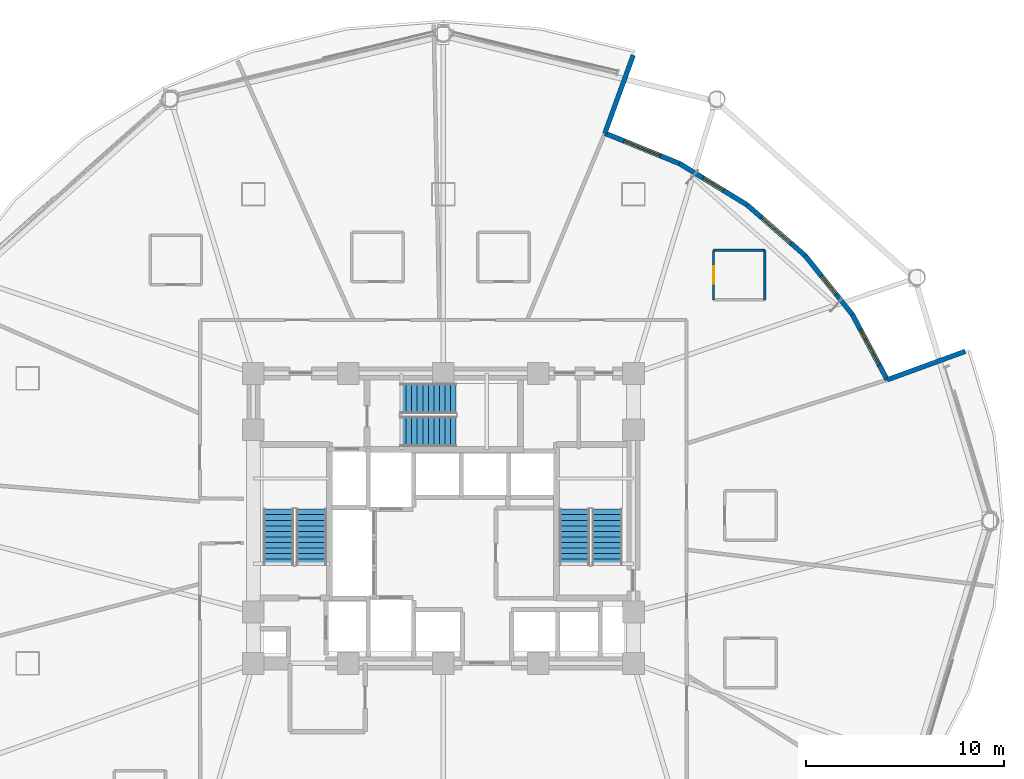
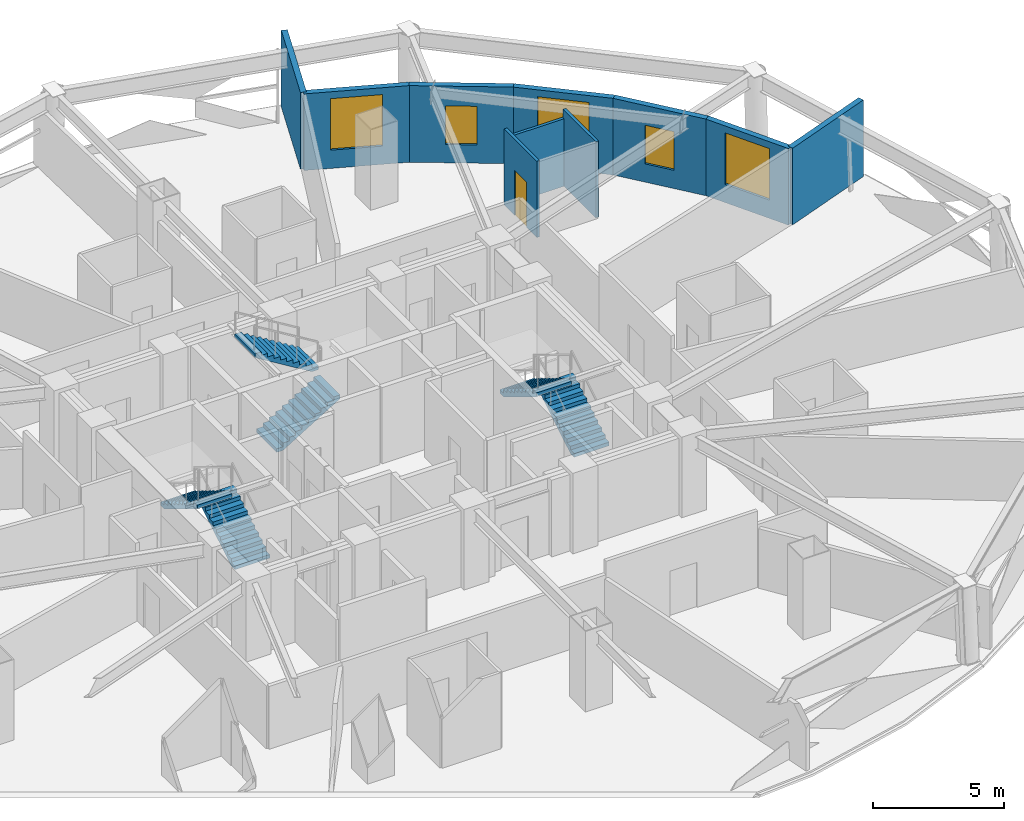
# One storey, part 11 of 16: 10 walls, 6 stair flights, 5 windows, 1 door, 6 openings, 3 elements without a shape of their own.
"""IFC4 building model written with IfcOpenShell, lengths in metres."""

from ifc_helpers import new_model, si_unit, direction, frame, frame_2d, origin, place, context, subcontext, project, spatial, polyline, rectangle, outline, extrude, material, layer, layer_set, type_object, element, fill, aggregate, save


model = new_model("IFC4")

# Units and contexts
model_context = context("Model", 3, precision=1e-05, world=origin(), true_north=direction((0.0, 1.0)))
body_context = subcontext(model_context, "Body", "Model", "MODEL_VIEW")
ifc_project = project(units=[si_unit("LENGTHUNIT", "METRE"), si_unit("AREAUNIT", "SQUARE_METRE"), si_unit("VOLUMEUNIT", "CUBIC_METRE"), si_unit("PLANEANGLEUNIT", "RADIAN"), si_unit("MASSUNIT", "GRAM", prefix="KILO")], contexts=[model_context])

# Site, building, storey
site_placement = place(None, origin())
site = spatial("IfcSite", under=ifc_project, at=site_placement, CompositionType="ELEMENT")
building_placement = place(site_placement, origin())
building = spatial("IfcBuilding", under=site, at=building_placement, Name="Vantalir Tower", CompositionType="ELEMENT")
storey_placement = place(building_placement, frame((0.0, 0.0, 75.75)))
storey = spatial("IfcBuildingStorey", under=building, at=storey_placement, Name="L18", CompositionType="ELEMENT", Elevation=75.75)

# Wall
ifc_material_1 = material(Name="Moisture-resistant en-suite partition", Category="gypsum")
ifc_layer_1 = layer(ifc_material_1, 0.125)
ifc_layer_set_1 = layer_set([ifc_layer_1], Name="Moisture-resistant en-suite partition")
wall_type_1 = type_object("IfcWallType", Name="WL-BATH-125", PredefinedType="PARTITIONING", material=ifc_layer_set_1)
wall_1_placement = place(storey_placement, frame((45.14892578125, 38.6669921875, 0.0), z_axis=(0.0, 0.0, 1.0), x_axis=(1.0, 0.0, 0.0)))
element("IfcWall", 1, at=wall_1_placement, inside=storey, type_object=wall_type_1, Name="L18 En-suite 01 North Wall", PredefinedType="PARTITIONING", context=body_context, shape_type="SweptSolid", body=[
    extrude(rectangle(XDim=2.60009765625, YDim=0.125, at=frame_2d((1.300048828125, 0.0))), origin(), (0.0, 0.0, 1.0), 3.14501953125),
])

# Wall, opening, door
wall_2_placement = place(storey_placement, frame((45.14892578125, 36.1669921875, 0.0), z_axis=(0.0, 0.0, 1.0), x_axis=(0.0, 1.0, 0.0)))
wall_2 = element("IfcWall", 2, at=wall_2_placement, inside=storey, type_object=wall_type_1, Name="L18 En-suite 01 West Wall", PredefinedType="PARTITIONING", context=body_context, shape_type="SweptSolid", body=[
    extrude(rectangle(XDim=2.5, YDim=0.125, at=frame_2d((1.25, 0.0))), origin(), (0.0, 0.0, 1.0), 3.550048828125),
])
opening_1_placement = place(wall_2_placement, frame((0.800048828125, 0.0, 0.0)))
opening_1 = element("IfcOpeningElement", 3, at=opening_1_placement, cuts=wall_2, Name="Opening D-WC", PredefinedType="OPENING", context=body_context, shape_type="SweptSolid", body=[
    extrude(rectangle(XDim=0.89990234375, YDim=2.10009765625, at=frame_2d((0.449951171875, 1.050048828125))), frame((0.0, 0.072509765625, 0.0), z_axis=(0.0, -1.0, 0.0), x_axis=(1.0, 0.0, 0.0)), (0.0, 0.0, 1.0), 0.14501953125),
])
ifc_material_2 = material(Name="Moisture-resistant hardwood door", Category="wood")
door_type = type_object("IfcDoorType", Name="DR-ENSUITE-900", OperationType="NOTDEFINED", PredefinedType="DOOR", material=ifc_material_2)
door_placement = place(opening_1_placement, frame((0.89990234375, 0.0, 0.0), z_axis=(0.0, 0.0, 1.0), x_axis=(-1.0, 0.0, 0.0)))
door = element("IfcDoor", 4, at=door_placement, inside=storey, type_object=door_type, Name="L18 En-suite 01 Door", OperationType="SINGLE_SWING_RIGHT", OverallHeight=2.10009765625, OverallWidth=0.89990234375, PredefinedType="DOOR", context=body_context, shape_type="SweptSolid", body=[
    extrude(rectangle(XDim=0.89990234375, YDim=2.10009765625, at=frame_2d((0.449951171875, 1.050048828125))), frame((0.0, 0.02490234375, 0.0), z_axis=(0.0, -1.0, 0.0), x_axis=(1.0, 0.0, 0.0)), (0.0, 0.0, 1.0), 0.050048828125),
])
fill(opening_1, door)

# Walls
wall_3_placement = place(storey_placement, frame((47.7490234375, 36.1669921875, 0.0), z_axis=(0.0, 0.0, 1.0), x_axis=(0.0, 1.0, 0.0)))
element("IfcWall", 5, at=wall_3_placement, inside=storey, type_object=wall_type_1, Name="L18 En-suite 01 East Wall", PredefinedType="PARTITIONING", context=body_context, shape_type="SweptSolid", body=[
    extrude(rectangle(XDim=2.5, YDim=0.125, at=frame_2d((1.25, 0.0))), origin(), (0.0, 0.0, 1.0), 3.550048828125),
])
ifc_material_3 = material(Name="Precast concrete C40/50 insulated sky-garden wall", Category="concrete")
ifc_layer_2 = layer(ifc_material_3, 0.239990234375)
ifc_layer_set_2 = layer_set([ifc_layer_2], Name="Precast concrete C40/50 insulated sky-garden wall")
wall_type_2 = type_object("IfcWallType", Name="WL-EXT-SG-240", PredefinedType="SOLIDWALL", material=ifc_layer_set_2)
wall_4_placement = place(storey_placement, frame((57.867919921875, 33.56396484375, 0.0), z_axis=(0.0, 0.0, 1.0), x_axis=(-0.939660987195, -0.342107043399, 0.0)))
element("IfcWall", 6, at=wall_4_placement, inside=storey, type_object=wall_type_2, Name="L18 SG1 Sky-Garden Return Wall A", PredefinedType="SOLIDWALL", context=body_context, shape_type="SweptSolid", body=[
    extrude(rectangle(XDim=4.200439453125, YDim=0.239990234375, at=frame_2d((2.10009765625, 0.0))), origin(), (0.0, 0.0, 1.0), 3.570068359375),
])
wall_5_placement = place(storey_placement, frame((39.660888671875, 44.58203125, 0.0), z_axis=(0.0, 0.0, 1.0), x_axis=(0.341901740091, 0.939735707592, 0.0)))
element("IfcWall", 7, at=wall_5_placement, inside=storey, type_object=wall_type_2, Name="L18 SG1 Sky-Garden Return Wall B", PredefinedType="SOLIDWALL", context=body_context, shape_type="SweptSolid", body=[
    extrude(rectangle(XDim=4.2001953125, YDim=0.239990234375, at=frame_2d((2.10009765625, 0.0))), origin(), (0.0, 0.0, 1.0), 3.570068359375),
])

# Wall, opening, window
wall_6_placement = place(storey_placement, frame((53.9208984375, 32.126953125, 0.0), z_axis=(0.0, 0.0, 1.0), x_axis=(-0.471022801321, 0.88212103514, 0.0)))
wall_6 = element("IfcWall", 8, at=wall_6_placement, inside=storey, type_object=wall_type_2, Name="L18 SG1 Sky-Garden Lounge Wall 1", PredefinedType="SOLIDWALL", context=body_context, shape_type="SweptSolid", body=[
    extrude(rectangle(XDim=3.73193359375, YDim=0.239990234375, at=frame_2d((1.865966796875, 0.0))), origin(), (0.0, 0.0, 1.0), 3.570068359375),
])
opening_2_placement = place(wall_6_placement, frame((0.865966796875, 0.0, 0.85009765625)))
opening_2 = element("IfcOpeningElement", 9, at=opening_2_placement, cuts=wall_6, Name="Opening WN-3", PredefinedType="OPENING", context=body_context, shape_type="SweptSolid", body=[
    extrude(rectangle(XDim=2.0, YDim=2.39990234375, at=frame_2d((1.0, 1.199951171875))), frame((0.0, 0.1298828125, 0.0), z_axis=(0.0, -1.0, 0.0), x_axis=(1.0, 0.0, 0.0)), (0.0, 0.0, 1.0), 0.260009765625),
])
ifc_material_4 = material(Name="Double-silver Low-E sky-garden lounge window", Category="glass")
window_type_1 = type_object("IfcWindowType", Name="WIN-SG-2000x2400", PartitioningType="SINGLE_PANEL", PredefinedType="WINDOW", material=ifc_material_4)
window_1_placement = place(opening_2_placement, origin())
window_1 = element("IfcWindow", 10, at=window_1_placement, inside=storey, type_object=window_type_1, Name="L18 SG1 Sky-Garden Window 1", OverallHeight=2.39990234375, OverallWidth=2.0, PartitioningType="SINGLE_PANEL", PredefinedType="WINDOW", context=body_context, shape_type="SweptSolid", body=[
    extrude(rectangle(XDim=2.0, YDim=2.39990234375, at=frame_2d((1.0, 1.199951171875))), frame((0.0, 0.030029296875, 0.0), z_axis=(0.0, -1.0, 0.0), x_axis=(1.0, 0.0, 0.0)), (0.0, 0.0, 1.0), 0.06005859375),
])
fill(opening_2, window_1)

wall_7_placement = place(storey_placement, frame((52.1630859375, 35.4189453125, 0.0), z_axis=(0.0, 0.0, 1.0), x_axis=(-0.625358387722, 0.780337674924, 0.0)))
wall_7 = element("IfcWall", 11, at=wall_7_placement, inside=storey, type_object=wall_type_2, Name="L18 SG1 Sky-Garden Lounge Wall 2", PredefinedType="SOLIDWALL", context=body_context, shape_type="SweptSolid", body=[
    extrude(rectangle(XDim=3.813720703125, YDim=0.239990234375, at=frame_2d((1.90673828125, 0.0))), origin(), (0.0, 0.0, 1.0), 3.570068359375),
])
opening_3_placement = place(wall_7_placement, frame((1.306884765625, 0.0, 0.85009765625)))
opening_3 = element("IfcOpeningElement", 12, at=opening_3_placement, cuts=wall_7, Name="Opening WN-4", PredefinedType="OPENING", context=body_context, shape_type="SweptSolid", body=[
    extrude(rectangle(XDim=1.199951171875, YDim=1.800048828125, at=frame_2d((0.60009765625, 0.89990234375))), frame((0.0, 0.1298828125, 0.0), z_axis=(0.0, -1.0, 0.0), x_axis=(1.0, 0.0, 0.0)), (0.0, 0.0, 1.0), 0.260009765625),
])
ifc_material_5 = material(Name="Operable smoke-vent Low-E window", Category="glass")
window_type_2 = type_object("IfcWindowType", Name="WIN-SG-1200x1800", PartitioningType="SINGLE_PANEL", PredefinedType="WINDOW", material=ifc_material_5)
window_2_placement = place(opening_3_placement, origin())
window_2 = element("IfcWindow", 13, at=window_2_placement, inside=storey, type_object=window_type_2, Name="L18 SG1 Sky-Garden Window 2", OverallHeight=1.800048828125, OverallWidth=1.199951171875, PartitioningType="SINGLE_PANEL", PredefinedType="WINDOW", context=body_context, shape_type="SweptSolid", body=[
    extrude(rectangle(XDim=1.199951171875, YDim=1.800048828125, at=frame_2d((0.60009765625, 0.89990234375))), frame((0.0, 0.030029296875, 0.0), z_axis=(0.0, -1.0, 0.0), x_axis=(1.0, 0.0, 0.0)), (0.0, 0.0, 1.0), 0.06005859375),
])
fill(opening_3, window_2)

wall_8_placement = place(storey_placement, frame((49.778076171875, 38.39501953125, 0.0), z_axis=(0.0, 0.0, 1.0), x_axis=(-0.753137964346, 0.657862604699, 0.0)))
wall_8 = element("IfcWall", 14, at=wall_8_placement, inside=storey, type_object=wall_type_2, Name="L18 SG1 Sky-Garden Lounge Wall 3", PredefinedType="SOLIDWALL", context=body_context, shape_type="SweptSolid", body=[
    extrude(rectangle(XDim=3.9052734375, YDim=0.239990234375, at=frame_2d((1.95263671875, 0.0))), origin(), (0.0, 0.0, 1.0), 3.570068359375),
])
opening_4_placement = place(wall_8_placement, frame((0.952880859375, 0.0, 0.85009765625)))
opening_4 = element("IfcOpeningElement", 15, at=opening_4_placement, cuts=wall_8, Name="Opening WN-3", PredefinedType="OPENING", context=body_context, shape_type="SweptSolid", body=[
    extrude(rectangle(XDim=2.0, YDim=2.39990234375, at=frame_2d((1.0, 1.199951171875))), frame((0.0, 0.1298828125, 0.0), z_axis=(0.0, -1.0, 0.0), x_axis=(1.0, 0.0, 0.0)), (0.0, 0.0, 1.0), 0.260009765625),
])
window_3_placement = place(opening_4_placement, origin())
window_3 = element("IfcWindow", 16, at=window_3_placement, inside=storey, type_object=window_type_1, Name="L18 SG1 Sky-Garden Window 3", OverallHeight=2.39990234375, OverallWidth=2.0, PartitioningType="SINGLE_PANEL", PredefinedType="WINDOW", context=body_context, shape_type="SweptSolid", body=[
    extrude(rectangle(XDim=2.0, YDim=2.39990234375, at=frame_2d((1.0, 1.199951171875))), frame((0.0, 0.030029296875, 0.0), z_axis=(0.0, -1.0, 0.0), x_axis=(1.0, 0.0, 0.0)), (0.0, 0.0, 1.0), 0.06005859375),
])
fill(opening_4, window_3)

wall_9_placement = place(storey_placement, frame((46.8369140625, 40.964111328125, 0.0), z_axis=(0.0, 0.0, 1.0), x_axis=(-0.853174515751, 0.521625579964, 0.0)))
wall_9 = element("IfcWall", 17, at=wall_9_placement, inside=storey, type_object=wall_type_2, Name="L18 SG1 Sky-Garden Lounge Wall 4", PredefinedType="SOLIDWALL", context=body_context, shape_type="SweptSolid", body=[
    extrude(rectangle(XDim=3.993408203125, YDim=0.239990234375, at=frame_2d((1.99658203125, 0.0))), origin(), (0.0, 0.0, 1.0), 3.570068359375),
])
opening_5_placement = place(wall_9_placement, frame((1.39697265625, 0.0, 0.85009765625)))
opening_5 = element("IfcOpeningElement", 18, at=opening_5_placement, cuts=wall_9, Name="Opening WN-4", PredefinedType="OPENING", context=body_context, shape_type="SweptSolid", body=[
    extrude(rectangle(XDim=1.199951171875, YDim=1.800048828125, at=frame_2d((0.60009765625, 0.89990234375))), frame((0.0, 0.1298828125, 0.0), z_axis=(0.0, -1.0, 0.0), x_axis=(1.0, 0.0, 0.0)), (0.0, 0.0, 1.0), 0.260009765625),
])
window_4_placement = place(opening_5_placement, origin())
window_4 = element("IfcWindow", 19, at=window_4_placement, inside=storey, type_object=window_type_2, Name="L18 SG1 Sky-Garden Window 4", OverallHeight=1.800048828125, OverallWidth=1.199951171875, PartitioningType="SINGLE_PANEL", PredefinedType="WINDOW", context=body_context, shape_type="SweptSolid", body=[
    extrude(rectangle(XDim=1.199951171875, YDim=1.800048828125, at=frame_2d((0.60009765625, 0.89990234375))), frame((0.0, 0.030029296875, 0.0), z_axis=(0.0, -1.0, 0.0), x_axis=(1.0, 0.0, 0.0)), (0.0, 0.0, 1.0), 0.06005859375),
])
fill(opening_5, window_4)

wall_10_placement = place(storey_placement, frame((43.429931640625, 43.047119140625, 0.0), z_axis=(0.0, 0.0, 1.0), x_axis=(-0.926145919151, 0.377165396664, 0.0)))
wall_10 = element("IfcWall", 20, at=wall_10_placement, inside=storey, type_object=wall_type_2, Name="L18 SG1 Sky-Garden Lounge Wall 5", PredefinedType="SOLIDWALL", context=body_context, shape_type="SweptSolid", body=[
    extrude(rectangle(XDim=4.069580078125, YDim=0.239990234375, at=frame_2d((2.03466796875, 0.0))), origin(), (0.0, 0.0, 1.0), 3.570068359375),
])
opening_6_placement = place(wall_10_placement, frame((1.034912109375, 0.0, 0.85009765625)))
opening_6 = element("IfcOpeningElement", 21, at=opening_6_placement, cuts=wall_10, Name="Opening WN-3", PredefinedType="OPENING", context=body_context, shape_type="SweptSolid", body=[
    extrude(rectangle(XDim=2.0, YDim=2.39990234375, at=frame_2d((1.0, 1.199951171875))), frame((0.0, 0.1298828125, 0.0), z_axis=(0.0, -1.0, 0.0), x_axis=(1.0, 0.0, 0.0)), (0.0, 0.0, 1.0), 0.260009765625),
])
window_5_placement = place(opening_6_placement, origin())
window_5 = element("IfcWindow", 22, at=window_5_placement, inside=storey, type_object=window_type_1, Name="L18 SG1 Sky-Garden Window 5", OverallHeight=2.39990234375, OverallWidth=2.0, PartitioningType="SINGLE_PANEL", PredefinedType="WINDOW", context=body_context, shape_type="SweptSolid", body=[
    extrude(rectangle(XDim=2.0, YDim=2.39990234375, at=frame_2d((1.0, 1.199951171875))), frame((0.0, 0.030029296875, 0.0), z_axis=(0.0, -1.0, 0.0), x_axis=(1.0, 0.0, 0.0)), (0.0, 0.0, 1.0), 0.06005859375),
])
fill(opening_6, window_5)

# Stair, stair flights
ifc_material_6 = material(Name="Concrete C40/50", Category="concrete")
stair_type = type_object("IfcStairType", Name="STR-CORE-1450", PredefinedType="HALF_TURN_STAIR", material=ifc_material_6)
stair_1_placement = place(storey_placement, origin())
stair_1 = element("IfcStair", 23, at=stair_1_placement, inside=storey, type_object=stair_type, Name="L18 Core Exit Stair 1", PredefinedType="HALF_TURN_STAIR")
stair_flight_type = type_object("IfcStairFlightType", Name="FLT-CORE-1450", PredefinedType="STRAIGHT", material=ifc_material_6)
stair_flight_1_placement = place(storey_placement, frame((24.830078125, 22.7900390625, 0.0), z_axis=(0.0, 0.0, 1.0), x_axis=(0.0, 1.0, 0.0)))
stair_flight_1 = element("IfcStairFlight", 24, at=stair_flight_1_placement, type_object=stair_flight_type, Name="ST1 flight 1", NumberOfRisers=11, NumberOfTreads=10, PredefinedType="STRAIGHT", RiserHeight=0.170454545, TreadLength=0.28, context=body_context, shape_type="SweptSolid", body=[
    extrude(outline(polyline([(0.0, 0.0), (0.0, 0.17041015625), (0.280029296875, 0.17041015625), (0.280029296875, 0.3408203125), (0.56005859375, 0.3408203125), (0.56005859375, 0.511474609375), (0.840087890625, 0.511474609375), (0.840087890625, 0.681884765625), (1.1201171875, 0.681884765625), (1.1201171875, 0.852294921875), (1.39990234375, 0.852294921875), (1.39990234375, 1.022705078125), (1.679931640625, 1.022705078125), (1.679931640625, 1.193115234375), (1.9599609375, 1.193115234375), (1.9599609375, 1.363525390625), (2.239990234375, 1.363525390625), (2.239990234375, 1.5341796875), (2.52001953125, 1.5341796875), (2.52001953125, 1.70458984375), (2.800048828125, 1.70458984375), (2.800048828125, 1.875), (2.800048828125, 1.529052734375), (0.288330078125, 0.0), (0.0, 0.0)])), frame((0.0, 0.77001953125, 0.0), z_axis=(0.0, -1.0, 0.0), x_axis=(1.0, 0.0, 0.0)), (0.0, 0.0, 1.0), 1.5400390625),
])
stair_flight_2_placement = place(storey_placement, frame((23.169921875, 25.590087890625, 1.875), z_axis=(0.0, 0.0, 1.0), x_axis=(0.0, -1.0, 0.0)))
stair_flight_2 = element("IfcStairFlight", 25, at=stair_flight_2_placement, type_object=stair_flight_type, Name="ST1 flight 2", NumberOfRisers=11, NumberOfTreads=10, PredefinedType="STRAIGHT", RiserHeight=0.170454545, TreadLength=0.28, context=body_context, shape_type="SweptSolid", body=[
    extrude(outline(polyline([(0.0, 0.0), (0.0, 0.17041015625), (0.280029296875, 0.17041015625), (0.280029296875, 0.3408203125), (0.56005859375, 0.3408203125), (0.56005859375, 0.511474609375), (0.840087890625, 0.511474609375), (0.840087890625, 0.681884765625), (1.1201171875, 0.681884765625), (1.1201171875, 0.852294921875), (1.39990234375, 0.852294921875), (1.39990234375, 1.022705078125), (1.679931640625, 1.022705078125), (1.679931640625, 1.193115234375), (1.9599609375, 1.193115234375), (1.9599609375, 1.363525390625), (2.239990234375, 1.363525390625), (2.239990234375, 1.5341796875), (2.52001953125, 1.5341796875), (2.52001953125, 1.70458984375), (2.800048828125, 1.70458984375), (2.800048828125, 1.875), (2.800048828125, 1.529052734375), (0.288330078125, 0.0), (0.0, 0.0)])), frame((0.0, 0.77001953125, 0.0), z_axis=(0.0, -1.0, 0.0), x_axis=(1.0, 0.0, 0.0)), (0.0, 0.0, 1.0), 1.5400390625),
])
aggregate(stair_1, [stair_flight_1, stair_flight_2])

stair_2_placement = place(storey_placement, origin())
stair_2 = element("IfcStair", 26, at=stair_2_placement, inside=storey, type_object=stair_type, Name="L18 Core Exit Stair 2", PredefinedType="HALF_TURN_STAIR")
stair_flight_3_placement = place(storey_placement, frame((39.780029296875, 22.7900390625, 0.0), z_axis=(0.0, 0.0, 1.0), x_axis=(0.0, 1.0, 0.0)))
stair_flight_3 = element("IfcStairFlight", 27, at=stair_flight_3_placement, type_object=stair_flight_type, Name="ST2 flight 1", NumberOfRisers=11, NumberOfTreads=10, PredefinedType="STRAIGHT", RiserHeight=0.170454545, TreadLength=0.28, context=body_context, shape_type="SweptSolid", body=[
    extrude(outline(polyline([(0.0, 0.0), (0.0, 0.17041015625), (0.280029296875, 0.17041015625), (0.280029296875, 0.3408203125), (0.56005859375, 0.3408203125), (0.56005859375, 0.511474609375), (0.840087890625, 0.511474609375), (0.840087890625, 0.681884765625), (1.1201171875, 0.681884765625), (1.1201171875, 0.852294921875), (1.39990234375, 0.852294921875), (1.39990234375, 1.022705078125), (1.679931640625, 1.022705078125), (1.679931640625, 1.193115234375), (1.9599609375, 1.193115234375), (1.9599609375, 1.363525390625), (2.239990234375, 1.363525390625), (2.239990234375, 1.5341796875), (2.52001953125, 1.5341796875), (2.52001953125, 1.70458984375), (2.800048828125, 1.70458984375), (2.800048828125, 1.875), (2.800048828125, 1.529052734375), (0.288330078125, 0.0), (0.0, 0.0)])), frame((0.0, 0.77001953125, 0.0), z_axis=(0.0, -1.0, 0.0), x_axis=(1.0, 0.0, 0.0)), (0.0, 0.0, 1.0), 1.5400390625),
])
stair_flight_4_placement = place(storey_placement, frame((38.1201171875, 25.590087890625, 1.875), z_axis=(0.0, 0.0, 1.0), x_axis=(0.0, -1.0, 0.0)))
stair_flight_4 = element("IfcStairFlight", 28, at=stair_flight_4_placement, type_object=stair_flight_type, Name="ST2 flight 2", NumberOfRisers=11, NumberOfTreads=10, PredefinedType="STRAIGHT", RiserHeight=0.170454545, TreadLength=0.28, context=body_context, shape_type="SweptSolid", body=[
    extrude(outline(polyline([(0.0, 0.0), (0.0, 0.17041015625), (0.280029296875, 0.17041015625), (0.280029296875, 0.3408203125), (0.56005859375, 0.3408203125), (0.56005859375, 0.511474609375), (0.840087890625, 0.511474609375), (0.840087890625, 0.681884765625), (1.1201171875, 0.681884765625), (1.1201171875, 0.852294921875), (1.39990234375, 0.852294921875), (1.39990234375, 1.022705078125), (1.679931640625, 1.022705078125), (1.679931640625, 1.193115234375), (1.9599609375, 1.193115234375), (1.9599609375, 1.363525390625), (2.239990234375, 1.363525390625), (2.239990234375, 1.5341796875), (2.52001953125, 1.5341796875), (2.52001953125, 1.70458984375), (2.800048828125, 1.70458984375), (2.800048828125, 1.875), (2.800048828125, 1.529052734375), (0.288330078125, 0.0), (0.0, 0.0)])), frame((0.0, 0.77001953125, 0.0), z_axis=(0.0, -1.0, 0.0), x_axis=(1.0, 0.0, 0.0)), (0.0, 0.0, 1.0), 1.5400390625),
])
aggregate(stair_2, [stair_flight_3, stair_flight_4])

stair_3_placement = place(storey_placement, origin())
stair_3 = element("IfcStair", 29, at=stair_3_placement, inside=storey, type_object=stair_type, Name="L18 Core Exit Stair 3", PredefinedType="HALF_TURN_STAIR")
stair_flight_5_placement = place(storey_placement, frame((29.340087890625, 29.52001953125, 0.0), z_axis=(0.0, 0.0, 1.0), x_axis=(1.0, 0.0, 0.0)))
stair_flight_5 = element("IfcStairFlight", 30, at=stair_flight_5_placement, type_object=stair_flight_type, Name="ST3 flight 1", NumberOfRisers=11, NumberOfTreads=10, PredefinedType="STRAIGHT", RiserHeight=0.170454545, TreadLength=0.28, context=body_context, shape_type="SweptSolid", body=[
    extrude(outline(polyline([(0.0, 0.0), (0.0, 0.17041015625), (0.280029296875, 0.17041015625), (0.280029296875, 0.3408203125), (0.56005859375, 0.3408203125), (0.56005859375, 0.511474609375), (0.840087890625, 0.511474609375), (0.840087890625, 0.681884765625), (1.1201171875, 0.681884765625), (1.1201171875, 0.852294921875), (1.39990234375, 0.852294921875), (1.39990234375, 1.022705078125), (1.679931640625, 1.022705078125), (1.679931640625, 1.193115234375), (1.9599609375, 1.193115234375), (1.9599609375, 1.363525390625), (2.239990234375, 1.363525390625), (2.239990234375, 1.5341796875), (2.52001953125, 1.5341796875), (2.52001953125, 1.70458984375), (2.800048828125, 1.70458984375), (2.800048828125, 1.875), (2.800048828125, 1.529052734375), (0.288330078125, 0.0), (0.0, 0.0)])), frame((0.0, 0.77001953125, 0.0), z_axis=(0.0, -1.0, 0.0), x_axis=(1.0, 0.0, 0.0)), (0.0, 0.0, 1.0), 1.5400390625),
])
stair_flight_6_placement = place(storey_placement, frame((32.139892578125, 31.179931640625, 1.875), z_axis=(0.0, 0.0, 1.0), x_axis=(-1.0, 0.0, 0.0)))
stair_flight_6 = element("IfcStairFlight", 31, at=stair_flight_6_placement, type_object=stair_flight_type, Name="ST3 flight 2", NumberOfRisers=11, NumberOfTreads=10, PredefinedType="STRAIGHT", RiserHeight=0.170454545, TreadLength=0.28, context=body_context, shape_type="SweptSolid", body=[
    extrude(outline(polyline([(0.0, 0.0), (0.0, 0.17041015625), (0.280029296875, 0.17041015625), (0.280029296875, 0.3408203125), (0.56005859375, 0.3408203125), (0.56005859375, 0.511474609375), (0.840087890625, 0.511474609375), (0.840087890625, 0.681884765625), (1.1201171875, 0.681884765625), (1.1201171875, 0.852294921875), (1.39990234375, 0.852294921875), (1.39990234375, 1.022705078125), (1.679931640625, 1.022705078125), (1.679931640625, 1.193115234375), (1.9599609375, 1.193115234375), (1.9599609375, 1.363525390625), (2.239990234375, 1.363525390625), (2.239990234375, 1.5341796875), (2.52001953125, 1.5341796875), (2.52001953125, 1.70458984375), (2.800048828125, 1.70458984375), (2.800048828125, 1.875), (2.800048828125, 1.529052734375), (0.288330078125, 0.0), (0.0, 0.0)])), frame((0.0, 0.77001953125, 0.0), z_axis=(0.0, -1.0, 0.0), x_axis=(1.0, 0.0, 0.0)), (0.0, 0.0, 1.0), 1.5400390625),
])
aggregate(stair_3, [stair_flight_5, stair_flight_6])

save(model, "model.ifc")
